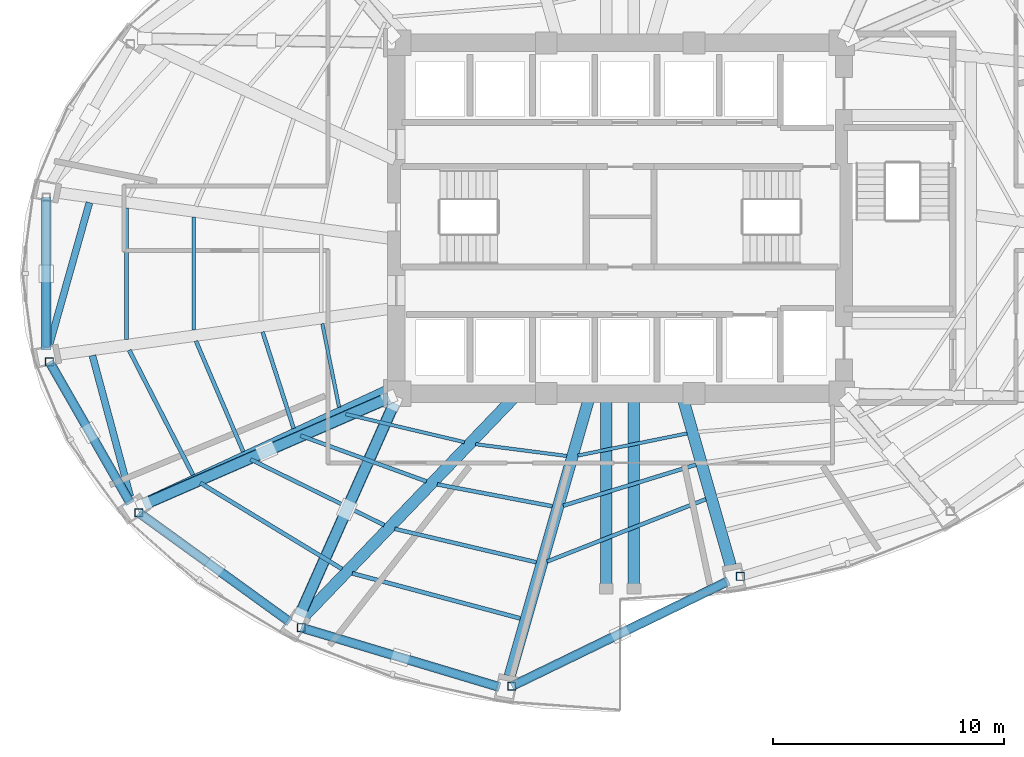
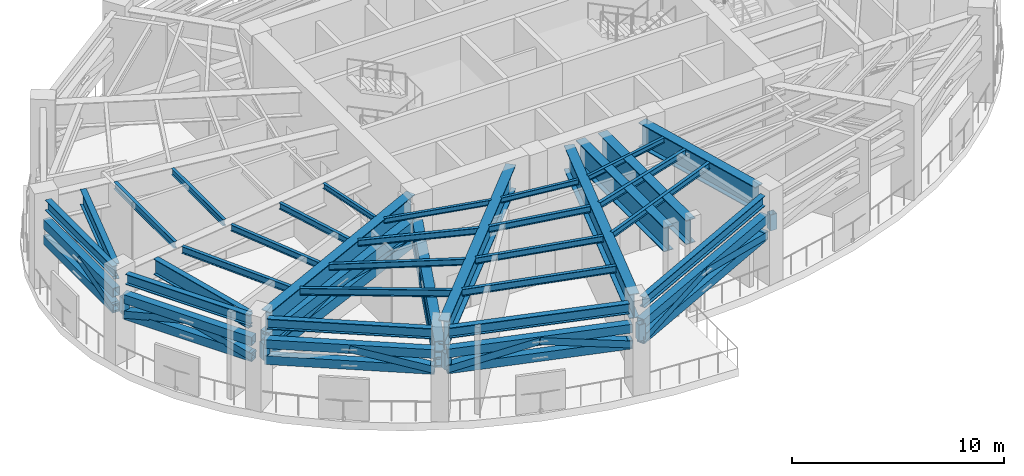
# One storey, part 2 of 12: 31 members, 30 beams.
"""IFC4 building model written with IfcOpenShell, lengths in metres."""

from ifc_helpers import new_model, si_unit, direction, frame, origin, origin_2d, place, context, subcontext, project, spatial, hollow_rectangle, i_section, extrude, material, material_profile, profile_set, type_object, element, save


model = new_model("IFC4")

# Units and contexts
model_context = context("Model", 3, precision=1e-05, world=origin(), true_north=direction((0.0, 1.0)))
body_context = subcontext(model_context, "Body", "Model", "MODEL_VIEW")
ifc_project = project(units=[si_unit("LENGTHUNIT", "METRE"), si_unit("AREAUNIT", "SQUARE_METRE"), si_unit("VOLUMEUNIT", "CUBIC_METRE"), si_unit("PLANEANGLEUNIT", "RADIAN"), si_unit("MASSUNIT", "GRAM", prefix="KILO")], contexts=[model_context])

# Site, building, storey
site_placement = place(None, origin())
site = spatial("IfcSite", under=ifc_project, at=site_placement, CompositionType="ELEMENT")
building_placement = place(site_placement, origin())
building = spatial("IfcBuilding", under=site, at=building_placement, Name="Lazwardi Medical Tower", CompositionType="ELEMENT")
storey_placement = place(building_placement, frame((0.0, 0.0, 132.81591796875)))
storey = spatial("IfcBuildingStorey", under=building, at=storey_placement, Name="L34", CompositionType="ELEMENT", Elevation=132.81591796875)

# Beams
ifc_material_1 = material(Name="Steel S460", Category="steel")
ifc_material_profile_1 = material_profile(ifc_material_1, i_section(OverallWidth=0.300048828125, OverallDepth=0.89990234375, WebThickness=0.0185546875, FlangeThickness=0.034912109375, at=origin_2d()), Name="HEB 900")
ifc_profile_set_1 = profile_set([ifc_material_profile_1], Name="Steel S460")
beam_type_1 = type_object("IfcBeamType", Name="BM-HB-01", PredefinedType="BEAM", material=ifc_profile_set_1)
beam_1_placement = place(storey_placement, frame((13.0078125, 28.67578125, 4.572021484375), z_axis=(-0.270587562077, -0.962695367834, 0.0), x_axis=(0.962695367834, -0.270587562077, 0.0)))
element("IfcBeam", 1, at=beam_1_placement, inside=storey, type_object=beam_type_1, Name="Transfer girder tie HB-01 M12 L34", PredefinedType="BEAM", context=body_context, shape_type="SweptSolid", body=[
    extrude(i_section(OverallWidth=0.300048828125, OverallDepth=0.89990234375, WebThickness=0.0185546875, FlangeThickness=0.034912109375, at=origin_2d()), origin(), (0.0, 0.0, 1.0), 6.353759765625),
])
beam_2_placement = place(storey_placement, frame((13.1376953125, 22.051513671875, 4.572021484375), z_axis=(0.259328021729, -0.965789302667, 0.0), x_axis=(0.965789302667, 0.259328021729, 0.0)))
element("IfcBeam", 2, at=beam_2_placement, inside=storey, type_object=beam_type_1, Name="Transfer girder tie HB-01 M13 L34", PredefinedType="BEAM", context=body_context, shape_type="SweptSolid", body=[
    extrude(i_section(OverallWidth=0.300048828125, OverallDepth=0.89990234375, WebThickness=0.0185546875, FlangeThickness=0.034912109375, at=origin_2d()), origin(), (0.0, 0.0, 1.0), 6.32177734375),
])
ifc_material_2 = material(Name="Steel S355", Category="steel")
ifc_material_profile_2 = material_profile(ifc_material_2, i_section(OverallWidth=0.300048828125, OverallDepth=0.60009765625, WebThickness=0.015380859375, FlangeThickness=0.030029296875, at=origin_2d()), Name="HEB 600")
ifc_profile_set_2 = profile_set([ifc_material_profile_2], Name="Steel S355")
beam_type_2 = type_object("IfcBeamType", Name="BM-RB-Z2", PredefinedType="BEAM", material=ifc_profile_set_2)
beam_3_placement = place(storey_placement, frame((11.13720703125, 28.77001953125, 4.72216796875), z_axis=(0.0, -1.0, 0.0), x_axis=(1.0, 0.0, 0.0)))
element("IfcBeam", 3, at=beam_3_placement, inside=storey, type_object=beam_type_2, Name="Ring beam RB-03 B12 L34", PredefinedType="BEAM", context=body_context, shape_type="SweptSolid", body=[
    extrude(i_section(OverallWidth=0.300048828125, OverallDepth=0.60009765625, WebThickness=0.015380859375, FlangeThickness=0.030029296875, at=origin_2d()), origin(), (0.0, 0.0, 1.0), 6.33984375),
])
beam_4_placement = place(storey_placement, frame((11.3408203125, 21.664306640625, 4.72216796875), z_axis=(0.496637551254, -0.867958030486, 0.0), x_axis=(0.867958030486, 0.496637551254, 0.0)))
element("IfcBeam", 4, at=beam_4_placement, inside=storey, type_object=beam_type_2, Name="Ring beam RB-03 B13 L34", PredefinedType="BEAM", context=body_context, shape_type="SweptSolid", body=[
    extrude(i_section(OverallWidth=0.300048828125, OverallDepth=0.60009765625, WebThickness=0.015380859375, FlangeThickness=0.030029296875, at=origin_2d()), origin(), (0.0, 0.0, 1.0), 6.801025390625),
])
beam_5_placement = place(storey_placement, frame((15.25439453125, 15.164794921875, 4.72216796875), z_axis=(0.81005674773, -0.586351486275, 0.0), x_axis=(0.586351486275, 0.81005674773, 0.0)))
element("IfcBeam", 5, at=beam_5_placement, inside=storey, type_object=beam_type_2, Name="Ring beam RB-03 B14 L34", PredefinedType="BEAM", context=body_context, shape_type="SweptSolid", body=[
    extrude(i_section(OverallWidth=0.300048828125, OverallDepth=0.60009765625, WebThickness=0.015380859375, FlangeThickness=0.030029296875, at=origin_2d()), origin(), (0.0, 0.0, 1.0), 7.81396484375),
])
beam_6_placement = place(storey_placement, frame((22.30908203125, 10.224609375, 4.72216796875), z_axis=(0.957879438442, -0.287170648587, 0.0), x_axis=(0.287170648587, 0.957879438442, 0.0)))
element("IfcBeam", 6, at=beam_6_placement, inside=storey, type_object=beam_type_2, Name="Ring beam RB-03 B15 L34", PredefinedType="BEAM", context=body_context, shape_type="SweptSolid", body=[
    extrude(i_section(OverallWidth=0.300048828125, OverallDepth=0.60009765625, WebThickness=0.015380859375, FlangeThickness=0.030029296875, at=origin_2d()), origin(), (0.0, 0.0, 1.0), 8.719970703125),
])
beam_7_placement = place(storey_placement, frame((31.42333984375, 7.781494140625, 4.72216796875), z_axis=(0.899653336227, 0.436604941125, 0.0), x_axis=(-0.436604941125, 0.899653336227, 0.0)))
element("IfcBeam", 7, at=beam_7_placement, inside=storey, type_object=beam_type_2, Name="Ring beam RB-03 B16 L34", PredefinedType="BEAM", context=body_context, shape_type="SweptSolid", body=[
    extrude(i_section(OverallWidth=0.300048828125, OverallDepth=0.60009765625, WebThickness=0.015380859375, FlangeThickness=0.030029296875, at=origin_2d()), origin(), (0.0, 0.0, 1.0), 10.17431640625),
])
ifc_material_profile_3 = material_profile(ifc_material_2, i_section(OverallWidth=0.179931640625, OverallDepth=0.39990234375, WebThickness=0.008544921875, FlangeThickness=0.013427734375, at=origin_2d()), Name="IPE 400")
ifc_profile_set_3 = profile_set([ifc_material_profile_3], Name="Steel S355")
beam_type_3 = type_object("IfcBeamType", Name="BM-SJ-01", PredefinedType="JOIST", material=ifc_profile_set_3)
beam_8_placement = place(storey_placement, frame((14.619384765625, 28.452880859375, 4.822021484375), z_axis=(0.0, -1.0, 0.0), x_axis=(1.0, 0.0, 0.0)))
element("IfcBeam", 8, at=beam_8_placement, inside=storey, type_object=beam_type_3, Name="Secondary joist SJ-01 R1 B12 L34", PredefinedType="JOIST", context=body_context, shape_type="SweptSolid", body=[
    extrude(i_section(OverallWidth=0.179931640625, OverallDepth=0.39990234375, WebThickness=0.008544921875, FlangeThickness=0.013427734375, at=origin_2d()), origin(), (0.0, 0.0, 1.0), 5.70556640625),
])
beam_9_placement = place(storey_placement, frame((14.730712890625, 22.2841796875, 4.822021484375), z_axis=(0.455198119676, -0.890390179552, 0.0), x_axis=(0.890390179552, 0.455198119676, 0.0)))
element("IfcBeam", 9, at=beam_9_placement, inside=storey, type_object=beam_type_3, Name="Secondary joist SJ-01 R1 B13 L34", PredefinedType="JOIST", context=body_context, shape_type="SweptSolid", body=[
    extrude(i_section(OverallWidth=0.179931640625, OverallDepth=0.39990234375, WebThickness=0.008544921875, FlangeThickness=0.013427734375, at=origin_2d()), origin(), (0.0, 0.0, 1.0), 6.0771484375),
])
beam_10_placement = place(storey_placement, frame((17.81787109375, 16.527587890625, 4.822021484375), z_axis=(0.854835509568, -0.518899076489, 0.0), x_axis=(0.518899076489, 0.854835509568, 0.0)))
element("IfcBeam", 10, at=beam_10_placement, inside=storey, type_object=beam_type_3, Name="Secondary joist SJ-01 R1 B14 L34", PredefinedType="JOIST", context=body_context, shape_type="SweptSolid", body=[
    extrude(i_section(OverallWidth=0.179931640625, OverallDepth=0.39990234375, WebThickness=0.008544921875, FlangeThickness=0.013427734375, at=origin_2d()), origin(), (0.0, 0.0, 1.0), 7.17236328125),
])
beam_11_placement = place(storey_placement, frame((24.39501953125, 12.615234375, 4.822021484375), z_axis=(0.965815343929, -0.259231019425, 0.0), x_axis=(0.259231019425, 0.965815343929, 0.0)))
element("IfcBeam", 11, at=beam_11_placement, inside=storey, type_object=beam_type_3, Name="Secondary joist SJ-01 R1 B15 L34", PredefinedType="JOIST", context=body_context, shape_type="SweptSolid", body=[
    extrude(i_section(OverallWidth=0.179931640625, OverallDepth=0.39990234375, WebThickness=0.008544921875, FlangeThickness=0.013427734375, at=origin_2d()), origin(), (0.0, 0.0, 1.0), 7.5361328125),
])
ifc_material_profile_4 = material_profile(ifc_material_2, i_section(OverallWidth=0.169921875, OverallDepth=0.360107421875, WebThickness=0.008056640625, FlangeThickness=0.0126953125, at=origin_2d()), Name="IPE 360")
ifc_profile_set_4 = profile_set([ifc_material_profile_4], Name="Steel S355")
beam_type_4 = type_object("IfcBeamType", Name="BM-SJ-02", PredefinedType="JOIST", material=ifc_profile_set_4)
beam_12_placement = place(storey_placement, frame((17.527099609375, 28.05029296875, 4.842041015625), z_axis=(0.0, -1.0, 0.0), x_axis=(1.0, 0.0, 0.0)))
element("IfcBeam", 12, at=beam_12_placement, inside=storey, type_object=beam_type_4, Name="Secondary joist SJ-02 R2 B12 L34", PredefinedType="JOIST", context=body_context, shape_type="SweptSolid", body=[
    extrude(i_section(OverallWidth=0.169921875, OverallDepth=0.360107421875, WebThickness=0.008056640625, FlangeThickness=0.0126953125, at=origin_2d()), origin(), (0.0, 0.0, 1.0), 4.900390625),
])
beam_13_placement = place(storey_placement, frame((17.623291015625, 22.6796875, 4.842041015625), z_axis=(0.393020619763, -0.919529658271, 0.0), x_axis=(0.919529658271, 0.393020619763, 0.0)))
element("IfcBeam", 13, at=beam_13_placement, inside=storey, type_object=beam_type_4, Name="Secondary joist SJ-02 R2 B13 L34", PredefinedType="JOIST", context=body_context, shape_type="SweptSolid", body=[
    extrude(i_section(OverallWidth=0.169921875, OverallDepth=0.360107421875, WebThickness=0.008056640625, FlangeThickness=0.0126953125, at=origin_2d()), origin(), (0.0, 0.0, 1.0), 5.21435546875),
])
beam_14_placement = place(storey_placement, frame((19.98876953125, 17.5517578125, 4.842041015625), z_axis=(0.897381406017, -0.441255721928, 0.0), x_axis=(0.441255721928, 0.897381406017, 0.0)))
element("IfcBeam", 14, at=beam_14_placement, inside=storey, type_object=beam_type_4, Name="Secondary joist SJ-02 R2 B14 L34", PredefinedType="JOIST", context=body_context, shape_type="SweptSolid", body=[
    extrude(i_section(OverallWidth=0.169921875, OverallDepth=0.360107421875, WebThickness=0.008056640625, FlangeThickness=0.0126953125, at=origin_2d()), origin(), (0.0, 0.0, 1.0), 6.452392578125),
])
beam_15_placement = place(storey_placement, frame((26.2373046875, 14.540283203125, 4.842041015625), z_axis=(0.973234906894, -0.229812567112, 0.0), x_axis=(0.229812567112, 0.973234906894, 0.0)))
element("IfcBeam", 15, at=beam_15_placement, inside=storey, type_object=beam_type_4, Name="Secondary joist SJ-02 R2 B15 L34", PredefinedType="JOIST", context=body_context, shape_type="SweptSolid", body=[
    extrude(i_section(OverallWidth=0.169921875, OverallDepth=0.360107421875, WebThickness=0.008056640625, FlangeThickness=0.0126953125, at=origin_2d()), origin(), (0.0, 0.0, 1.0), 6.2998046875),
])
beam_16_placement = place(storey_placement, frame((32.8349609375, 13.125732421875, 4.842041015625), z_axis=(0.930816129105, 0.36548780253, 0.0), x_axis=(-0.36548780253, 0.930816129105, 0.0)))
element("IfcBeam", 16, at=beam_16_placement, inside=storey, type_object=beam_type_4, Name="Secondary joist SJ-02 R2 B16 L34", PredefinedType="JOIST", context=body_context, shape_type="SweptSolid", body=[
    extrude(i_section(OverallWidth=0.169921875, OverallDepth=0.360107421875, WebThickness=0.008056640625, FlangeThickness=0.0126953125, at=origin_2d()), origin(), (0.0, 0.0, 1.0), 7.389892578125),
])
beam_17_placement = place(storey_placement, frame((20.509765625, 23.07421875, 4.842041015625), z_axis=(0.30644505633, -0.951888348206, 0.0), x_axis=(0.951888348206, 0.30644505633, 0.0)))
element("IfcBeam", 17, at=beam_17_placement, inside=storey, type_object=beam_type_4, Name="Secondary joist SJ-02 R3 B13 L34", PredefinedType="JOIST", context=body_context, shape_type="SweptSolid", body=[
    extrude(i_section(OverallWidth=0.169921875, OverallDepth=0.360107421875, WebThickness=0.008056640625, FlangeThickness=0.0126953125, at=origin_2d()), origin(), (0.0, 0.0, 1.0), 4.387451171875),
])
beam_18_placement = place(storey_placement, frame((22.159423828125, 18.5810546875, 4.842041015625), z_axis=(0.939727031181, -0.341925586742, 0.0), x_axis=(0.341925586742, 0.939727031181, 0.0)))
element("IfcBeam", 18, at=beam_18_placement, inside=storey, type_object=beam_type_4, Name="Secondary joist SJ-02 R3 B14 L34", PredefinedType="JOIST", context=body_context, shape_type="SweptSolid", body=[
    extrude(i_section(OverallWidth=0.169921875, OverallDepth=0.360107421875, WebThickness=0.008056640625, FlangeThickness=0.0126953125, at=origin_2d()), origin(), (0.0, 0.0, 1.0), 5.79931640625),
])
beam_19_placement = place(storey_placement, frame((28.080078125, 16.468505859375, 4.842041015625), z_axis=(0.98236004631, -0.186999303244, 0.0), x_axis=(0.186999303244, 0.98236004631, 0.0)))
element("IfcBeam", 19, at=beam_19_placement, inside=storey, type_object=beam_type_4, Name="Secondary joist SJ-02 R3 B15 L34", PredefinedType="JOIST", context=body_context, shape_type="SweptSolid", body=[
    extrude(i_section(OverallWidth=0.169921875, OverallDepth=0.360107421875, WebThickness=0.008056640625, FlangeThickness=0.0126953125, at=origin_2d()), origin(), (0.0, 0.0, 1.0), 5.072021484375),
])
beam_20_placement = place(storey_placement, frame((33.53759765625, 15.54638671875, 4.842041015625), z_axis=(0.955459041325, 0.295123737354, 0.0), x_axis=(-0.295123737354, 0.955459041325, 0.0)))
element("IfcBeam", 20, at=beam_20_placement, inside=storey, type_object=beam_type_4, Name="Secondary joist SJ-02 R3 B16 L34", PredefinedType="JOIST", context=body_context, shape_type="SweptSolid", body=[
    extrude(i_section(OverallWidth=0.169921875, OverallDepth=0.360107421875, WebThickness=0.008056640625, FlangeThickness=0.0126953125, at=origin_2d()), origin(), (0.0, 0.0, 1.0), 6.015869140625),
])
ifc_material_profile_5 = material_profile(ifc_material_2, i_section(OverallWidth=0.14990234375, OverallDepth=0.300048828125, WebThickness=0.007080078125, FlangeThickness=0.0107421875, at=origin_2d()), Name="IPE 300")
ifc_profile_set_5 = profile_set([ifc_material_profile_5], Name="Steel S355")
beam_type_5 = type_object("IfcBeamType", Name="BM-SJ-03", PredefinedType="JOIST", material=ifc_profile_set_5)
beam_21_placement = place(storey_placement, frame((23.099609375, 23.4296875, 4.8720703125), z_axis=(0.196573865533, -0.980489018495, 0.0), x_axis=(0.980489018495, 0.196573865533, 0.0)))
element("IfcBeam", 21, at=beam_21_placement, inside=storey, type_object=beam_type_5, Name="Secondary joist SJ-03 R4 B13 L34", PredefinedType="JOIST", context=body_context, shape_type="SweptSolid", body=[
    extrude(i_section(OverallWidth=0.14990234375, OverallDepth=0.300048828125, WebThickness=0.007080078125, FlangeThickness=0.0107421875, at=origin_2d()), origin(), (0.0, 0.0, 1.0), 3.6923828125),
])
beam_22_placement = place(storey_placement, frame((24.112060546875, 19.5126953125, 4.8720703125), z_axis=(0.973198707201, -0.229965815509, 0.0), x_axis=(0.229965815509, 0.973198707201, 0.0)))
element("IfcBeam", 22, at=beam_22_placement, inside=storey, type_object=beam_type_5, Name="Secondary joist SJ-03 R4 B14 L34", PredefinedType="JOIST", context=body_context, shape_type="SweptSolid", body=[
    extrude(i_section(OverallWidth=0.14990234375, OverallDepth=0.300048828125, WebThickness=0.007080078125, FlangeThickness=0.0107421875, at=origin_2d()), origin(), (0.0, 0.0, 1.0), 5.286865234375),
])
beam_23_placement = place(storey_placement, frame((29.73876953125, 18.208984375, 4.8720703125), z_axis=(0.991784393123, -0.127920747175, 0.0), x_axis=(0.127920747175, 0.991784393123, 0.0)))
element("IfcBeam", 23, at=beam_23_placement, inside=storey, type_object=beam_type_5, Name="Secondary joist SJ-03 R4 B15 L34", PredefinedType="JOIST", context=body_context, shape_type="SweptSolid", body=[
    extrude(i_section(OverallWidth=0.14990234375, OverallDepth=0.300048828125, WebThickness=0.007080078125, FlangeThickness=0.0107421875, at=origin_2d()), origin(), (0.0, 0.0, 1.0), 3.981201171875),
])
beam_24_placement = place(storey_placement, frame((34.17041015625, 17.716796875, 4.8720703125), z_axis=(0.980061586552, 0.198693952008, 0.0), x_axis=(-0.198693952008, 0.980061586552, 0.0)))
element("IfcBeam", 24, at=beam_24_placement, inside=storey, type_object=beam_type_5, Name="Secondary joist SJ-03 R4 B16 L34", PredefinedType="JOIST", context=body_context, shape_type="SweptSolid", body=[
    extrude(i_section(OverallWidth=0.14990234375, OverallDepth=0.300048828125, WebThickness=0.007080078125, FlangeThickness=0.0107421875, at=origin_2d()), origin(), (0.0, 0.0, 1.0), 4.8251953125),
])
ifc_material_profile_6 = material_profile(ifc_material_1, i_section(OverallWidth=0.5, OverallDepth=1.39990234375, WebThickness=0.028076171875, FlangeThickness=0.044921875, at=origin_2d()), Name="PG 1400x500")
ifc_profile_set_6 = profile_set([ifc_material_profile_6], Name="Steel S460")
beam_type_6 = type_object("IfcBeamType", Name="BM-TG-01", PredefinedType="BEAM", material=ifc_profile_set_6)
for number, where, z_axis, x_axis, name in (
    (25, (35.39990234375, 12.159912109375, 4.322021484375), (0.0, 1.0, 0.0), (-1.0, 0.0, 0.0), "Transfer girder TG-01 PL3 L34"),
    (26, (36.60009765625, 12.159912109375, 4.322021484375), (0.0, 1.0, 0.0), (-1.0, 0.0, 0.0), "Transfer girder TG-01 PL4 L34"),
):
    element("IfcBeam", number, at=place(storey_placement, frame(where, z_axis=z_axis, x_axis=x_axis)), inside=storey, type_object=beam_type_6, Name=name, PredefinedType="BEAM", context=body_context, shape_type="SweptSolid", body=[
        extrude(i_section(OverallWidth=0.5, OverallDepth=1.39990234375, WebThickness=0.028076171875, FlangeThickness=0.044921875, at=origin_2d()), origin(), (0.0, 0.0, 1.0), 8.340087890625),
    ])
beam_25_placement = place(storey_placement, frame((40.7861328125, 12.960205078125, 4.322021484375), z_axis=(-0.274712736857, 0.961526345041, 0.0), x_axis=(-0.961526345041, -0.274712736857, 0.0)))
element("IfcBeam", 27, at=beam_25_placement, inside=storey, type_object=beam_type_6, Name="Transfer girder TG-01 M01 L34", PredefinedType="BEAM", context=body_context, shape_type="SweptSolid", body=[
    extrude(i_section(OverallWidth=0.5, OverallDepth=1.39990234375, WebThickness=0.028076171875, FlangeThickness=0.044921875, at=origin_2d()), origin(), (0.0, 0.0, 1.0), 7.685546875),
])
beam_26_placement = place(storey_placement, frame((15.447998046875, 15.64990234375, 4.322021484375), z_axis=(0.906705985416, 0.421763270106, 0.0), x_axis=(-0.421763270106, 0.906705985416, 0.0)))
element("IfcBeam", 28, at=beam_26_placement, inside=storey, type_object=beam_type_6, Name="Transfer girder TG-01 M14 L34", PredefinedType="BEAM", context=body_context, shape_type="SweptSolid", body=[
    extrude(i_section(OverallWidth=0.5, OverallDepth=1.39990234375, WebThickness=0.028076171875, FlangeThickness=0.044921875, at=origin_2d()), origin(), (0.0, 0.0, 1.0), 11.91357421875),
])
beam_27_placement = place(storey_placement, frame((22.31787109375, 10.760986328125, 4.322021484375), z_axis=(0.692408308333, 0.721505879776, 0.0), x_axis=(-0.721505879776, 0.692408308333, 0.0)))
element("IfcBeam", 29, at=beam_27_placement, inside=storey, type_object=beam_type_6, Name="Transfer girder TG-01 M15 L34", PredefinedType="BEAM", context=body_context, shape_type="SweptSolid", body=[
    extrude(i_section(OverallWidth=0.5, OverallDepth=1.39990234375, WebThickness=0.028076171875, FlangeThickness=0.044921875, at=origin_2d()), origin(), (0.0, 0.0, 1.0), 13.29052734375),
])
beam_28_placement = place(storey_placement, frame((31.2138671875, 8.160400390625, 4.322021484375), z_axis=(0.274713497412, 0.961526127747, 0.0), x_axis=(-0.961526127747, 0.274713497412, 0.0)))
element("IfcBeam", 30, at=beam_28_placement, inside=storey, type_object=beam_type_6, Name="Transfer girder TG-01 M16 L34", PredefinedType="BEAM", context=body_context, shape_type="SweptSolid", body=[
    extrude(i_section(OverallWidth=0.5, OverallDepth=1.39990234375, WebThickness=0.028076171875, FlangeThickness=0.044921875, at=origin_2d()), origin(), (0.0, 0.0, 1.0), 12.677490234375),
])

# Members
ifc_material_profile_7 = material_profile(ifc_material_1, hollow_rectangle(XDim=0.39990234375, YDim=0.5, WallThickness=0.02490234375, at=origin_2d()), Name="RHS 500x400x25")
ifc_profile_set_7 = profile_set([ifc_material_profile_7], Name="Steel S460")
member_type_1 = type_object("IfcMemberType", Name="MEM-BC-01", PredefinedType="CHORD", material=ifc_profile_set_7)
for number, where, z_axis, x_axis, name in (
    (31, (11.13720703125, 28.89990234375, 2.68017578125), (0.0, -1.0, 0.0), (1.0, 0.0, 0.0), "Belt truss bottom chord BC-01 B12 L34"),
    (32, (11.13720703125, 28.89990234375, 3.60009765625), (0.0, -1.0, 0.0), (1.0, 0.0, 0.0), "Belt truss top chord BC-01 B12 L34"),
):
    element("IfcMember", number, at=place(storey_placement, frame(where, z_axis=z_axis, x_axis=x_axis)), inside=storey, type_object=member_type_1, Name=name, PredefinedType="CHORD", context=body_context, shape_type="SweptSolid", body=[
        extrude(hollow_rectangle(XDim=0.39990234375, YDim=0.5, WallThickness=0.02490234375, at=origin_2d()), origin(), (0.0, 0.0, 1.0), 6.599853515625),
    ])
for number, where, z_axis, x_axis, name in (
    (33, (11.276123046875, 21.777099609375, 2.68017578125), (0.496656397323, -0.867947246668, 0.0), (0.867947246668, 0.496656397323, 0.0), "Belt truss bottom chord BC-01 B13 L34"),
    (34, (11.276123046875, 21.777099609375, 3.60009765625), (0.496656397323, -0.867947246668, 0.0), (0.867947246668, 0.496656397323, 0.0), "Belt truss top chord BC-01 B13 L34"),
):
    element("IfcMember", number, at=place(storey_placement, frame(where, z_axis=z_axis, x_axis=x_axis)), inside=storey, type_object=member_type_1, Name=name, PredefinedType="CHORD", context=body_context, shape_type="SweptSolid", body=[
        extrude(hollow_rectangle(XDim=0.39990234375, YDim=0.5, WallThickness=0.02490234375, at=origin_2d()), origin(), (0.0, 0.0, 1.0), 7.061279296875),
    ])
for number, where, z_axis, x_axis, name in (
    (35, (15.14892578125, 15.2412109375, 2.68017578125), (0.810037702686, -0.586377796499, 0.0), (0.586377796499, 0.810037702686, 0.0), "Belt truss bottom chord BC-01 B14 L34"),
    (36, (15.14892578125, 15.2412109375, 3.60009765625), (0.810037702686, -0.586377796499, 0.0), (0.586377796499, 0.810037702686, 0.0), "Belt truss top chord BC-01 B14 L34"),
):
    element("IfcMember", number, at=place(storey_placement, frame(where, z_axis=z_axis, x_axis=x_axis)), inside=storey, type_object=member_type_1, Name=name, PredefinedType="CHORD", context=body_context, shape_type="SweptSolid", body=[
        extrude(hollow_rectangle(XDim=0.39990234375, YDim=0.5, WallThickness=0.02490234375, at=origin_2d()), origin(), (0.0, 0.0, 1.0), 8.074462890625),
    ])
for number, where, z_axis, x_axis, name in (
    (37, (22.1845703125, 10.26220703125, 2.68017578125), (0.957870421192, -0.28720072459, 0.0), (0.28720072459, 0.957870421192, 0.0), "Belt truss bottom chord BC-01 B15 L34"),
    (38, (22.1845703125, 10.26220703125, 3.60009765625), (0.957870421192, -0.28720072459, 0.0), (0.28720072459, 0.957870421192, 0.0), "Belt truss top chord BC-01 B15 L34"),
):
    element("IfcMember", number, at=place(storey_placement, frame(where, z_axis=z_axis, x_axis=x_axis)), inside=storey, type_object=member_type_1, Name=name, PredefinedType="CHORD", context=body_context, shape_type="SweptSolid", body=[
        extrude(hollow_rectangle(XDim=0.39990234375, YDim=0.5, WallThickness=0.02490234375, at=origin_2d()), origin(), (0.0, 0.0, 1.0), 8.980224609375),
    ])
for number, where, z_axis, x_axis, name in (
    (39, (31.306396484375, 7.724853515625, 2.68017578125), (0.899652608178, 0.436606441316, 0.0), (-0.436606441316, 0.899652608178, 0.0), "Belt truss bottom chord BC-01 B16 L34"),
    (40, (31.306396484375, 7.724853515625, 3.60009765625), (0.899652608178, 0.436606441316, 0.0), (-0.436606441316, 0.899652608178, 0.0), "Belt truss top chord BC-01 B16 L34"),
):
    element("IfcMember", number, at=place(storey_placement, frame(where, z_axis=z_axis, x_axis=x_axis)), inside=storey, type_object=member_type_1, Name=name, PredefinedType="CHORD", context=body_context, shape_type="SweptSolid", body=[
        extrude(hollow_rectangle(XDim=0.39990234375, YDim=0.5, WallThickness=0.02490234375, at=origin_2d()), origin(), (0.0, 0.0, 1.0), 10.434326171875),
    ])
ifc_material_profile_8 = material_profile(ifc_material_1, hollow_rectangle(XDim=0.39990234375, YDim=0.39990234375, WallThickness=0.02001953125, at=origin_2d()), Name="RHS 400x400x20")
ifc_profile_set_8 = profile_set([ifc_material_profile_8], Name="Steel S460")
member_type_2 = type_object("IfcMemberType", Name="MEM-BD-01", PredefinedType="BRACE", material=ifc_profile_set_8)
member_1_placement = place(storey_placement, frame((11.13720703125, 22.300048828125, 2.68017578125), z_axis=(0.0, 0.963273496856, 0.268522196949), x_axis=(-1.0, 0.0, 0.0)))
element("IfcMember", 41, at=member_1_placement, inside=storey, type_object=member_type_2, Name="Belt truss diagonal BD-01 B12B L34", PredefinedType="BRACE", context=body_context, shape_type="SweptSolid", body=[
    extrude(hollow_rectangle(XDim=0.39990234375, YDim=0.39990234375, WallThickness=0.02001953125, at=origin_2d()), origin(), (0.0, 0.0, 1.0), 3.42578125),
])
member_2_placement = place(storey_placement, frame((11.276123046875, 21.777099609375, 2.68017578125), z_axis=(0.480636513267, -0.839892734863, 0.252128411804), x_axis=(0.867932342639, 0.496682442413, 0.0)))
element("IfcMember", 42, at=member_2_placement, inside=storey, type_object=member_type_2, Name="Belt truss diagonal BD-01 B13A L34", PredefinedType="BRACE", context=body_context, shape_type="SweptSolid", body=[
    extrude(hollow_rectangle(XDim=0.39990234375, YDim=0.39990234375, WallThickness=0.02001953125, at=origin_2d()), origin(), (0.0, 0.0, 1.0), 3.648681640625),
])
member_3_placement = place(storey_placement, frame((14.783203125, 15.648193359375, 2.68017578125), z_axis=(-0.480585055408, 0.839919745959, 0.252136520297), x_axis=(-0.867962150428, -0.49663035089, 0.0)))
element("IfcMember", 43, at=member_3_placement, inside=storey, type_object=member_type_2, Name="Belt truss diagonal BD-01 B13B L34", PredefinedType="BRACE", context=body_context, shape_type="SweptSolid", body=[
    extrude(hollow_rectangle(XDim=0.39990234375, YDim=0.39990234375, WallThickness=0.02001953125, at=origin_2d()), origin(), (0.0, 0.0, 1.0), 3.6484375),
])
member_4_placement = place(storey_placement, frame((21.689453125, 10.506591796875, 2.68017578125), z_axis=(-0.789806852762, 0.571703415034, 0.222171871684), x_axis=(-0.586357955911, -0.81005206471, 0.0)))
element("IfcMember", 44, at=member_4_placement, inside=storey, type_object=member_type_2, Name="Belt truss diagonal BD-01 B14B L34", PredefinedType="BRACE", context=body_context, shape_type="SweptSolid", body=[
    extrude(hollow_rectangle(XDim=0.39990234375, YDim=0.39990234375, WallThickness=0.02001953125, at=origin_2d()), origin(), (0.0, 0.0, 1.0), 4.140625),
])
member_5_placement = place(storey_placement, frame((22.1845703125, 10.26220703125, 2.68017578125), z_axis=(0.938375224568, -0.281363415995, 0.20071513659), x_axis=(0.287208203877, 0.957868178627, 0.0)))
element("IfcMember", 45, at=member_5_placement, inside=storey, type_object=member_type_2, Name="Belt truss diagonal BD-01 B15A L34", PredefinedType="BRACE", context=body_context, shape_type="SweptSolid", body=[
    extrude(hollow_rectangle(XDim=0.39990234375, YDim=0.39990234375, WallThickness=0.02001953125, at=origin_2d()), origin(), (0.0, 0.0, 1.0), 4.583251953125),
])
member_6_placement = place(storey_placement, frame((30.786376953125, 7.68310546875, 2.68017578125), z_axis=(-0.938381587098, 0.281349352503, 0.200705104171), x_axis=(-0.287193245674, -0.957872663583, 0.0)))
element("IfcMember", 46, at=member_6_placement, inside=storey, type_object=member_type_2, Name="Belt truss diagonal BD-01 B15B L34", PredefinedType="BRACE", context=body_context, shape_type="SweptSolid", body=[
    extrude(hollow_rectangle(XDim=0.39990234375, YDim=0.39990234375, WallThickness=0.02001953125, at=origin_2d()), origin(), (0.0, 0.0, 1.0), 4.58349609375),
])
for number, where, z_axis, x_axis, name in (
    (47, (31.306396484375, 7.724853515625, 2.68017578125), (0.885984825537, 0.429973389975, 0.173648417302), (-0.436606441316, 0.899652608178, 0.0), "Belt truss diagonal BD-01 B16A L34"),
    (48, (40.693603515625, 12.280517578125, 2.68017578125), (-0.885984825537, -0.429973389975, 0.173648417302), (0.436606441316, -0.899652608178, 0.0), "Belt truss diagonal BD-01 B16B L34"),
):
    element("IfcMember", number, at=place(storey_placement, frame(where, z_axis=z_axis, x_axis=x_axis)), inside=storey, type_object=member_type_2, Name=name, PredefinedType="BRACE", context=body_context, shape_type="SweptSolid", body=[
        extrude(hollow_rectangle(XDim=0.39990234375, YDim=0.39990234375, WallThickness=0.02001953125, at=origin_2d()), origin(), (0.0, 0.0, 1.0), 5.297607421875),
    ])
ifc_material_profile_9 = material_profile(ifc_material_2, hollow_rectangle(XDim=0.35009765625, YDim=0.35009765625, WallThickness=0.01611328125, at=origin_2d()), Name="RHS 350x350x16")
ifc_profile_set_9 = profile_set([ifc_material_profile_9], Name="Steel S355")
member_type_3 = type_object("IfcMemberType", Name="MEM-BV-01", PredefinedType="POST", material=ifc_profile_set_9)
for number, where, z_axis, x_axis, name in (
    (49, (41.213623046875, 12.48291015625, 2.68017578125), (0.0, 0.0, 1.0), (1.0, 0.0, 0.0), "Belt truss post BV-01 B01 L34"),
    (50, (11.276123046875, 21.777099609375, 2.68017578125), (0.0, 0.0, 1.0), (1.0, 0.0, 0.0), "Belt truss post BV-01 B13 L34"),
    (51, (15.14892578125, 15.2412109375, 2.68017578125), (0.0, 0.0, 1.0), (1.0, 0.0, 0.0), "Belt truss post BV-01 B14 L34"),
    (52, (22.1845703125, 10.26220703125, 2.68017578125), (0.0, 0.0, 1.0), (1.0, 0.0, 0.0), "Belt truss post BV-01 B15 L34"),
    (53, (31.306396484375, 7.724853515625, 2.68017578125), (0.0, 0.0, 1.0), (1.0, 0.0, 0.0), "Belt truss post BV-01 B16 L34"),
):
    element("IfcMember", number, at=place(storey_placement, frame(where, z_axis=z_axis, x_axis=x_axis)), inside=storey, type_object=member_type_3, Name=name, PredefinedType="POST", context=body_context, shape_type="SweptSolid", body=[
        extrude(hollow_rectangle(XDim=0.35009765625, YDim=0.35009765625, WallThickness=0.01611328125, at=origin_2d()), origin(), (0.0, 0.0, 1.0), 0.919921875),
    ])
ifc_material_profile_10 = material_profile(ifc_material_1, hollow_rectangle(XDim=0.5, YDim=0.60009765625, WallThickness=0.030029296875, at=origin_2d()), Name="RHS 600x500x30")
ifc_profile_set_10 = profile_set([ifc_material_profile_10], Name="Steel S460")
member_type_4 = type_object("IfcMemberType", Name="MEM-OC-01", PredefinedType="CHORD", material=ifc_profile_set_10)
for number, where, z_axis, x_axis, name in (
    (54, (25.9873046875, 20.220458984375, 2.68017578125), (-0.916937023977, -0.399031946165, 0.0), (0.399031946165, -0.916937023977, 0.0), "Outrigger truss bottom chord OC-01 OR1 L34"),
    (55, (25.9873046875, 20.220458984375, 3.60009765625), (-0.916937023977, -0.399031946165, 0.0), (0.399031946165, -0.916937023977, 0.0), "Outrigger truss top chord OC-01 OR1 L34"),
):
    element("IfcMember", number, at=place(storey_placement, frame(where, z_axis=z_axis, x_axis=x_axis)), inside=storey, type_object=member_type_4, Name=name, PredefinedType="CHORD", context=body_context, shape_type="SweptSolid", body=[
        extrude(hollow_rectangle(XDim=0.5, YDim=0.60009765625, WallThickness=0.030029296875, at=origin_2d()), origin(), (0.0, 0.0, 1.0), 11.58740234375),
    ])
for number, where, z_axis, x_axis, name in (
    (56, (26.216796875, 19.989013671875, 2.68017578125), (-0.407176268091, -0.913349597199, 0.0), (0.913349597199, -0.407176268091, 0.0), "Outrigger truss bottom chord OC-01 OR2 L34"),
    (57, (26.216796875, 19.989013671875, 3.60009765625), (-0.407176268091, -0.913349597199, 0.0), (0.913349597199, -0.407176268091, 0.0), "Outrigger truss top chord OC-01 OR2 L34"),
):
    element("IfcMember", number, at=place(storey_placement, frame(where, z_axis=z_axis, x_axis=x_axis)), inside=storey, type_object=member_type_4, Name=name, PredefinedType="CHORD", context=body_context, shape_type="SweptSolid", body=[
        extrude(hollow_rectangle(XDim=0.5, YDim=0.60009765625, WallThickness=0.030029296875, at=origin_2d()), origin(), (0.0, 0.0, 1.0), 10.08154296875),
    ])
ifc_material_profile_11 = material_profile(ifc_material_1, hollow_rectangle(XDim=0.449951171875, YDim=0.449951171875, WallThickness=0.02197265625, at=origin_2d()), Name="RHS 450x450x22")
ifc_profile_set_11 = profile_set([ifc_material_profile_11], Name="Steel S460")
member_type_5 = type_object("IfcMemberType", Name="MEM-OD-01", PredefinedType="BRACE", material=ifc_profile_set_11)
member_7_placement = place(storey_placement, frame((25.9873046875, 20.220458984375, 2.68017578125), z_axis=(-0.905600238863, -0.394077603943, 0.15681533548), x_axis=(0.399014231411, -0.916944732866, 0.0)))
element("IfcMember", 58, at=member_7_placement, inside=storey, type_object=member_type_5, Name="Outrigger truss diagonal OD-01 OR1A L34", PredefinedType="BRACE", context=body_context, shape_type="SweptSolid", body=[
    extrude(hollow_rectangle(XDim=0.449951171875, YDim=0.449951171875, WallThickness=0.02197265625, at=origin_2d()), origin(), (0.0, 0.0, 1.0), 5.8662109375),
])
member_8_placement = place(storey_placement, frame((15.3623046875, 15.5966796875, 2.68017578125), z_axis=(0.905585386069, 0.394112757632, 0.156812763544), x_axis=(-0.399049660472, 0.916929314875, 0.0)))
element("IfcMember", 59, at=member_8_placement, inside=storey, type_object=member_type_5, Name="Outrigger truss diagonal OD-01 OR1B L34", PredefinedType="BRACE", context=body_context, shape_type="SweptSolid", body=[
    extrude(hollow_rectangle(XDim=0.449951171875, YDim=0.449951171875, WallThickness=0.02197265625, at=origin_2d()), origin(), (0.0, 0.0, 1.0), 5.866455078125),
])
for number, where, z_axis, x_axis, name in (
    (60, (26.216796875, 19.989013671875, 2.68017578125), (-0.400560637875, -0.898509873802, 0.179530448854), (0.913349597199, -0.407176268091, 0.0), "Outrigger truss diagonal OD-01 OR2A L34"),
    (61, (22.11181640625, 10.781005859375, 2.68017578125), (0.400560637875, 0.898509873802, 0.179530448854), (-0.913349597199, 0.407176268091, 0.0), "Outrigger truss diagonal OD-01 OR2B L34"),
):
    element("IfcMember", number, at=place(storey_placement, frame(where, z_axis=z_axis, x_axis=x_axis)), inside=storey, type_object=member_type_5, Name=name, PredefinedType="BRACE", context=body_context, shape_type="SweptSolid", body=[
        extrude(hollow_rectangle(XDim=0.449951171875, YDim=0.449951171875, WallThickness=0.02197265625, at=origin_2d()), origin(), (0.0, 0.0, 1.0), 5.1240234375),
    ])

save(model, "model.ifc")
